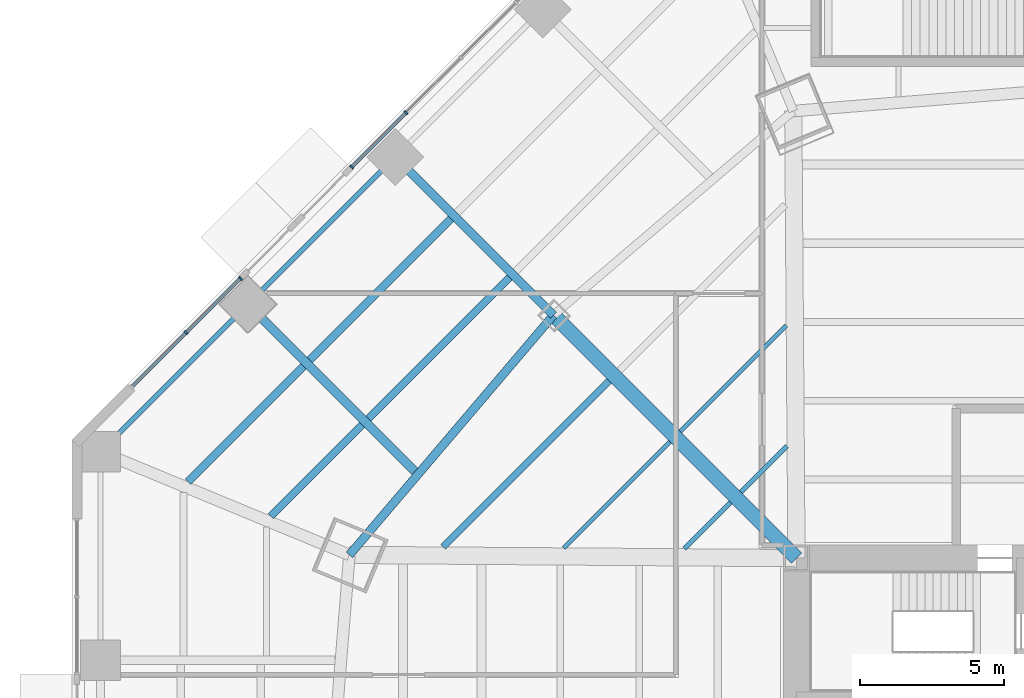
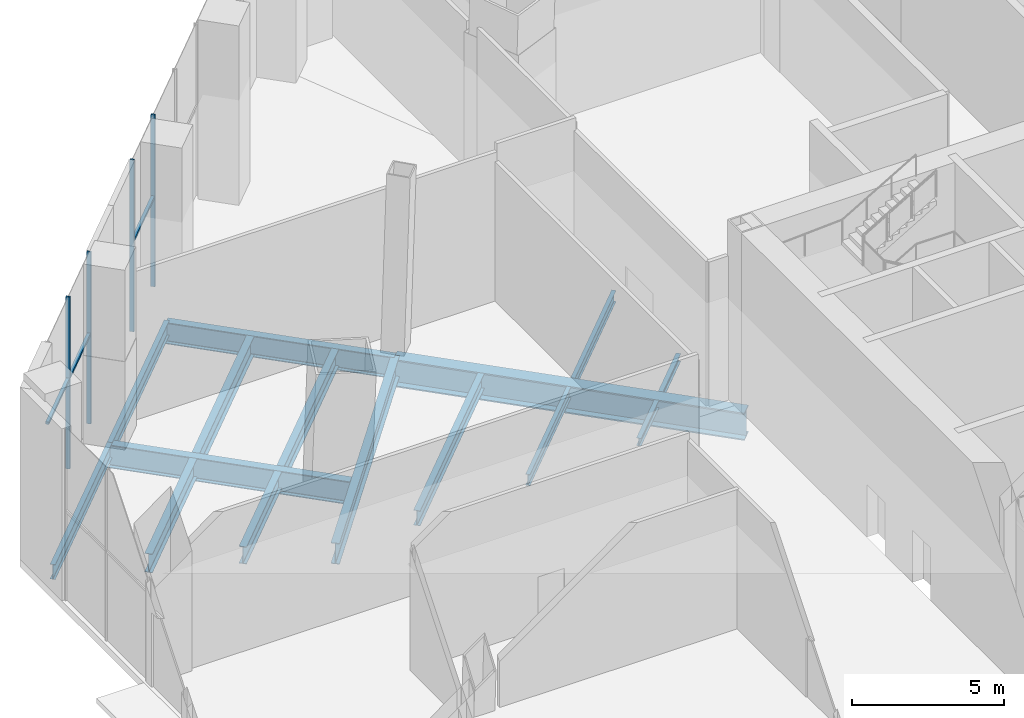
# One storey, part 9 of 35: 15 beams, 7 members, 2 elements without a shape of their own.
"""IFC4 building model written with IfcOpenShell, lengths in metres."""

from ifc_helpers import new_model, si_unit, direction, frame, origin, origin_2d, place, context, subcontext, project, spatial, rectangle, i_section, extrude, source, transform, mapped, material, material_profile, profile_set, type_object, type_shapes, element, aggregate, save


model = new_model("IFC4")

# Units and contexts
model_context = context("Model", 3, precision=1e-05, world=origin(), true_north=direction((0.0, 1.0)))
body_context = subcontext(model_context, "Body", "Model", "MODEL_VIEW")
ifc_project = project(units=[si_unit("LENGTHUNIT", "METRE"), si_unit("AREAUNIT", "SQUARE_METRE"), si_unit("VOLUMEUNIT", "CUBIC_METRE"), si_unit("PLANEANGLEUNIT", "RADIAN"), si_unit("MASSUNIT", "GRAM", prefix="KILO")], contexts=[model_context])

# Site, building, storey
site_placement = place(None, origin())
site = spatial("IfcSite", under=ifc_project, at=site_placement, CompositionType="ELEMENT")
building_placement = place(site_placement, origin())
building = spatial("IfcBuilding", under=site, at=building_placement, Name="Mashrafa Tower", CompositionType="ELEMENT")
storey_placement = place(building_placement, origin())
storey = spatial("IfcBuildingStorey", under=building, at=storey_placement, Name="L00", CompositionType="ELEMENT", Elevation=0.0)

# Beams
ifc_material_1 = material(Name="Steel ASTM A572 Gr 50", Category="steel")
ifc_material_profile_1 = material_profile(ifc_material_1, i_section(OverallWidth=0.5, OverallDepth=1.10009765625, WebThickness=0.02490234375, FlangeThickness=0.050048828125, at=origin_2d()), Name="H1100X500X25X50")
ifc_profile_set_1 = profile_set([ifc_material_profile_1], Name="Steel ASTM A572 Gr 50")
beam_type_1 = type_object("IfcBeamType", Name="Beam H1100X500X25X50", PredefinedType="BEAM", material=ifc_profile_set_1)
beam_1_placement = place(storey_placement, frame((-10.800048828125, 10.800048828125, -0.85009765625), z_axis=(-0.707106781187, 0.707106781187, 0.0), x_axis=(-0.707106781187, -0.707106781187, 0.0)))
element("IfcBeam", 1, at=beam_1_placement, inside=storey, type_object=beam_type_1, Name="Radial girder L00 202", PredefinedType="BEAM", context=body_context, shape_type="SweptSolid", body=[
    extrude(i_section(OverallWidth=0.5, OverallDepth=1.10009765625, WebThickness=0.02490234375, FlangeThickness=0.050048828125, at=origin_2d()), origin(), (0.0, 0.0, 1.0), 11.94970703125),
])
ifc_material_2 = material(Name="Steel ASTM A992", Category="steel")
ifc_material_profile_2 = material_profile(ifc_material_2, i_section(OverallWidth=0.164794921875, OverallDepth=0.309814453125, WebThickness=0.005859375, FlangeThickness=0.009765625, FilletRadius=0.007568359375, at=origin_2d()), Name="W12X26")
ifc_profile_set_2 = profile_set([ifc_material_profile_2], Name="Steel ASTM A992")
beam_type_2 = type_object("IfcBeamType", Name="Beam W12X26", PredefinedType="BEAM", material=ifc_profile_set_2)
for number, where, z_axis, x_axis, name in (
    (2, (-14.696533203125, 11.12841796875, -0.454833984375), (0.7071604821, 0.707053076194, 0.0), (-0.707053076194, 0.7071604821, 0.0), "Floor beam L00 027"),
    (3, (-12.735595703125, 13.089111328125, -0.454833984375), (0.707053076194, 0.7071604821, 0.0), (-0.7071604821, 0.707053076194, 0.0), "Floor beam L00 033"),
):
    element("IfcBeam", number, at=place(storey_placement, frame(where, z_axis=z_axis, x_axis=x_axis)), inside=storey, type_object=beam_type_2, Name=name, PredefinedType="BEAM", context=body_context, shape_type="SweptSolid", body=[
        extrude(i_section(OverallWidth=0.164794921875, OverallDepth=0.309814453125, WebThickness=0.005859375, FlangeThickness=0.009765625, FilletRadius=0.007568359375, at=origin_2d()), origin(), (0.0, 0.0, 1.0), 2.27294921875),
    ])
ifc_material_3 = material(Name="Steel ASTM A992", Category="steel")
ifc_material_profile_3 = material_profile(ifc_material_3, i_section(OverallWidth=0.15234375, OverallDepth=0.449462890625, WebThickness=0.007568359375, FlangeThickness=0.0107421875, FilletRadius=0.01025390625, at=origin_2d()), Name="W18X35")
ifc_profile_set_3 = profile_set([ifc_material_profile_3], Name="Steel ASTM A992")
beam_type_3 = type_object("IfcBeamType", Name="Beam W18X35", PredefinedType="BEAM", material=ifc_profile_set_3)
for number, where, z_axis, x_axis, name in (
    (4, (-18.89111328125, 11.15869140625, -0.52490234375), (0.707106781187, 0.707106781187, 0.0), (-0.707106781187, 0.707106781187, 0.0), "Floor beam L00 018"),
    (5, (-14.84814453125, 15.20166015625, -0.52490234375), (0.707106781187, 0.707106781187, 0.0), (-0.707106781187, 0.707106781187, 0.0), "Floor beam L00 026"),
):
    element("IfcBeam", number, at=place(storey_placement, frame(where, z_axis=z_axis, x_axis=x_axis)), inside=storey, type_object=beam_type_3, Name=name, PredefinedType="BEAM", context=body_context, shape_type="SweptSolid", body=[
        extrude(i_section(OverallWidth=0.15234375, OverallDepth=0.449462890625, WebThickness=0.007568359375, FlangeThickness=0.0107421875, FilletRadius=0.01025390625, at=origin_2d()), origin(), (0.0, 0.0, 1.0), 5.2177734375),
    ])
ifc_material_4 = material(Name="Steel ASTM A992", Category="steel")
ifc_material_profile_4 = material_profile(ifc_material_4, i_section(OverallWidth=0.177978515625, OverallDepth=0.599365234375, WebThickness=0.010009765625, FlangeThickness=0.012939453125, FilletRadius=0.012939453125, at=origin_2d()), Name="W24X55")
ifc_profile_set_4 = profile_set([ifc_material_profile_4], Name="Steel ASTM A992")
beam_type_4 = type_object("IfcBeamType", Name="Beam W24X55", PredefinedType="BEAM", material=ifc_profile_set_4)
beam_2_placement = place(storey_placement, frame((-29.87451171875, 19.623046875, -0.599609375), z_axis=(-0.707106781187, -0.707106781187, 0.0), x_axis=(0.707106781187, -0.707106781187, 0.0)))
element("IfcBeam", 6, at=beam_2_placement, inside=storey, type_object=beam_type_4, Name="Podium edge beam L00 114", PredefinedType="BEAM", context=body_context, shape_type="SweptSolid", body=[
    extrude(i_section(OverallWidth=0.177978515625, OverallDepth=0.599365234375, WebThickness=0.010009765625, FlangeThickness=0.012939453125, FilletRadius=0.012939453125, at=origin_2d()), origin(), (0.0, 0.0, 1.0), 7.24853515625),
])
beam_3_placement = place(storey_placement, frame((-24.748779296875, 24.748779296875, -0.599609375), z_axis=(-0.707106781187, -0.707106781187, 0.0), x_axis=(0.707106781187, -0.707106781187, 0.0)))
element("IfcBeam", 7, at=beam_3_placement, inside=storey, type_object=beam_type_4, Name="Podium edge beam L00 116", PredefinedType="BEAM", context=body_context, shape_type="SweptSolid", body=[
    extrude(i_section(OverallWidth=0.177978515625, OverallDepth=0.599365234375, WebThickness=0.010009765625, FlangeThickness=0.012939453125, FilletRadius=0.012939453125, at=origin_2d()), origin(), (0.0, 0.0, 1.0), 7.248779296875),
])
ifc_material_5 = material(Name="Steel ASTM A992", Category="steel")
ifc_material_profile_5 = material_profile(ifc_material_5, i_section(OverallWidth=0.228271484375, OverallDepth=0.607177734375, WebThickness=0.01123046875, FlangeThickness=0.017333984375, FilletRadius=0.0126953125, at=origin_2d()), Name="W24X76")
ifc_profile_set_5 = profile_set([ifc_material_profile_5], Name="Steel ASTM A992")
beam_type_5 = type_object("IfcBeamType", Name="Beam W24X76", PredefinedType="BEAM", material=ifc_profile_set_5)
beam_4_placement = place(storey_placement, frame((-23.085693359375, 11.18896484375, -0.603515625), z_axis=(0.707106781187, 0.707106781187, 0.0), x_axis=(-0.707106781187, 0.707106781187, 0.0)))
element("IfcBeam", 8, at=beam_4_placement, inside=storey, type_object=beam_type_5, Name="Floor beam L00 011", PredefinedType="BEAM", context=body_context, shape_type="SweptSolid", body=[
    extrude(i_section(OverallWidth=0.228271484375, OverallDepth=0.607177734375, WebThickness=0.01123046875, FlangeThickness=0.017333984375, FilletRadius=0.0126953125, at=origin_2d()), origin(), (0.0, 0.0, 1.0), 8.162109375),
])
ifc_material_6 = material(Name="Steel ASTM A992", Category="steel")
ifc_material_profile_6 = material_profile(ifc_material_6, i_section(OverallWidth=0.256591796875, OverallDepth=0.693359375, WebThickness=0.014404296875, FlangeThickness=0.023681640625, FilletRadius=0.01513671875, at=origin_2d()), Name="W27X114")
ifc_profile_set_6 = profile_set([ifc_material_profile_6], Name="Steel ASTM A992")
beam_type_6 = type_object("IfcBeamType", Name="Beam W27X114", PredefinedType="BEAM", material=ifc_profile_set_6)
beam_5_placement = place(storey_placement, frame((-29.076416015625, 12.260986328125, -0.646728515625), z_axis=(0.707106781187, 0.707106781187, 0.0), x_axis=(-0.707106781187, 0.707106781187, 0.0)))
element("IfcBeam", 9, at=beam_5_placement, inside=storey, type_object=beam_type_6, Name="Floor beam L00 008 part 1", PredefinedType="BEAM", context=body_context, shape_type="SweptSolid", body=[
    extrude(i_section(OverallWidth=0.256591796875, OverallDepth=0.693359375, WebThickness=0.014404296875, FlangeThickness=0.023681640625, FilletRadius=0.01513671875, at=origin_2d()), origin(), (0.0, 0.0, 1.0), 4.48779296875),
])
beam_6_placement = place(storey_placement, frame((-25.685791015625, 15.65185546875, -0.646728515625), z_axis=(0.707124347529, 0.707089214407, 0.0), x_axis=(-0.707089214407, 0.707124347529, 0.0)))
element("IfcBeam", 10, at=beam_6_placement, inside=storey, type_object=beam_type_6, Name="Floor beam L00 008 part 2", PredefinedType="BEAM", context=body_context, shape_type="SweptSolid", body=[
    extrude(i_section(OverallWidth=0.256591796875, OverallDepth=0.693359375, WebThickness=0.014404296875, FlangeThickness=0.023681640625, FilletRadius=0.01513671875, at=origin_2d()), origin(), (0.0, 0.0, 1.0), 6.948974609375),
])
ifc_material_7 = material(Name="Steel ASTM A992", Category="steel")
ifc_material_profile_7 = material_profile(ifc_material_7, i_section(OverallWidth=0.2666015625, OverallDepth=0.75439453125, WebThickness=0.01318359375, FlangeThickness=0.01708984375, FilletRadius=0.0166015625, at=origin_2d()), Name="W30X99")
ifc_profile_set_7 = profile_set([ifc_material_profile_7], Name="Steel ASTM A992")
beam_type_7 = type_object("IfcBeamType", Name="Beam W30X99", PredefinedType="BEAM", material=ifc_profile_set_7)
beam_7_placement = place(storey_placement, frame((-31.96142578125, 13.4560546875, -0.67724609375), z_axis=(0.707106781187, 0.707106781187, 0.0), x_axis=(-0.707106781187, 0.707106781187, 0.0)))
element("IfcBeam", 11, at=beam_7_placement, inside=storey, type_object=beam_type_7, Name="Floor beam L00 004 part 1", PredefinedType="BEAM", context=body_context, shape_type="SweptSolid", body=[
    extrude(i_section(OverallWidth=0.2666015625, OverallDepth=0.75439453125, WebThickness=0.01318359375, FlangeThickness=0.01708984375, FilletRadius=0.0166015625, at=origin_2d()), origin(), (0.0, 0.0, 1.0), 5.682861328125),
])
beam_8_placement = place(storey_placement, frame((-27.7255859375, 17.69189453125, -0.67724609375), z_axis=(0.707106781187, 0.707106781187, 0.0), x_axis=(-0.707106781187, 0.707106781187, 0.0)))
element("IfcBeam", 12, at=beam_8_placement, inside=storey, type_object=beam_type_7, Name="Floor beam L00 004 part 2", PredefinedType="BEAM", context=body_context, shape_type="SweptSolid", body=[
    extrude(i_section(OverallWidth=0.2666015625, OverallDepth=0.75439453125, WebThickness=0.01318359375, FlangeThickness=0.01708984375, FilletRadius=0.0166015625, at=origin_2d()), origin(), (0.0, 0.0, 1.0), 6.94873046875),
])
ifc_material_8 = material(Name="Steel ASTM A992", Category="steel")
ifc_material_profile_8 = material_profile(ifc_material_8, i_section(OverallWidth=0.2919921875, OverallDepth=0.8408203125, WebThickness=0.0146484375, FlangeThickness=0.021728515625, FilletRadius=0.017333984375, at=origin_2d()), Name="W33X130")
ifc_profile_set_8 = profile_set([ifc_material_profile_8], Name="Steel ASTM A992")
beam_type_8 = type_object("IfcBeamType", Name="Beam W33X130", PredefinedType="BEAM", material=ifc_profile_set_8)
beam_9_placement = place(storey_placement, frame((-19.249755859375, 19.249755859375, -0.720458984375), z_axis=(-0.648105971434, -0.76155016236, 0.0), x_axis=(0.76155016236, -0.648105971434, 0.0)))
element("IfcBeam", 13, at=beam_9_placement, inside=storey, type_object=beam_type_8, Name="Podium ring girder L00 185", PredefinedType="BEAM", context=body_context, shape_type="SweptSolid", body=[
    extrude(i_section(OverallWidth=0.2919921875, OverallDepth=0.8408203125, WebThickness=0.0146484375, FlangeThickness=0.021728515625, FilletRadius=0.017333984375, at=origin_2d()), origin(), (0.0, 0.0, 1.0), 10.947509765625),
])
ifc_material_9 = material(Name="Steel ASTM A992", Category="steel")
ifc_material_profile_9 = material_profile(ifc_material_9, i_section(OverallWidth=0.2919921875, OverallDepth=0.8583984375, WebThickness=0.01708984375, FlangeThickness=0.031005859375, FilletRadius=0.017822265625, at=origin_2d()), Name="W33X169")
ifc_profile_set_9 = profile_set([ifc_material_profile_9], Name="Steel ASTM A992")
beam_type_9 = type_object("IfcBeamType", Name="Beam W33X169", PredefinedType="BEAM", material=ifc_profile_set_9)
beam_10_placement = place(storey_placement, frame((-19.249755859375, 19.249755859375, -0.729248046875), z_axis=(-0.707106781187, 0.707106781187, 0.0), x_axis=(-0.707106781187, -0.707106781187, 0.0)))
element("IfcBeam", 14, at=beam_10_placement, inside=storey, type_object=beam_type_9, Name="Podium radial beam L00 150", PredefinedType="BEAM", context=body_context, shape_type="SweptSolid", body=[
    extrude(i_section(OverallWidth=0.2919921875, OverallDepth=0.8583984375, WebThickness=0.01708984375, FlangeThickness=0.031005859375, FilletRadius=0.017822265625, at=origin_2d()), origin(), (0.0, 0.0, 1.0), 7.77685546875),
])
ifc_material_10 = material(Name="Steel ASTM A992", Category="steel")
ifc_material_profile_10 = material_profile(ifc_material_10, i_section(OverallWidth=0.307373046875, OverallDepth=0.927001953125, WebThickness=0.01953125, FlangeThickness=0.031982421875, FilletRadius=0.01904296875, at=origin_2d()), Name="W36X194")
ifc_profile_set_10 = profile_set([ifc_material_profile_10], Name="Steel ASTM A992")
beam_type_10 = type_object("IfcBeamType", Name="Beam W36X194", PredefinedType="BEAM", material=ifc_profile_set_10)
beam_11_placement = place(storey_placement, frame((-24.06640625, 13.815185546875, -0.763671875), z_axis=(-0.707121642771, 0.707091919289, 0.0), x_axis=(-0.707091919289, -0.707121642771, 0.0)))
element("IfcBeam", 15, at=beam_11_placement, inside=storey, type_object=beam_type_10, Name="Podium radial beam L00 148", PredefinedType="BEAM", context=body_context, shape_type="SweptSolid", body=[
    extrude(i_section(OverallWidth=0.307373046875, OverallDepth=0.927001953125, WebThickness=0.01953125, FlangeThickness=0.031982421875, FilletRadius=0.01904296875, at=origin_2d()), origin(), (0.0, 0.0, 1.0), 8.213623046875),
])

# Curtain wall, members
ifc_material_11 = material(Name="Unitised aluminium curtain wall", Category="aluminium")
curtain_wall_type = type_object("IfcCurtainWallType", Name="Podium storefront CW-P 150 deep", PredefinedType="NOTDEFINED", material=ifc_material_11)
curtain_wall_1_placement = place(storey_placement, origin())
curtain_wall_1 = element("IfcCurtainWall", 16, at=curtain_wall_1_placement, inside=storey, type_object=curtain_wall_type, Name="Podium storefront L00 north-west part 1", PredefinedType="NOTDEFINED")
ifc_material_12 = material(Name="Extruded aluminium mullion", Category="aluminium")
ifc_material_profile_11 = material_profile(ifc_material_12, rectangle(XDim=0.14990234375, YDim=0.06494140625, at=origin_2d()), Name="Mullion 65x150")
ifc_profile_set_11 = profile_set([ifc_material_profile_11], Name="Extruded aluminium mullion")
member_type_1 = type_object("IfcMemberType", Name="Mullion CW-P 65 x 150", PredefinedType="MULLION", material=ifc_profile_set_11)
shared_shape_1 = source(origin(), body_context, "Body", "SweptSolid", [
    extrude(rectangle(XDim=0.14990234375, YDim=0.06494140625, at=origin_2d()), origin(), (0.0, 0.0, 1.0), 6.89990234375),
])
type_shapes(member_type_1, [shared_shape_1])
member_1_placement = place(storey_placement, frame((-24.376220703125, 26.2880859375, 0.0), z_axis=(0.0, 0.0, 1.0), x_axis=(0.707106781187, -0.707106781187, 0.0)))
member_1 = element("IfcMember", 17, at=member_1_placement, type_object=member_type_1, Name="CW-P mullion 5", PredefinedType="MULLION", context=body_context, shape_type="MappedRepresentation", body=[
    mapped(shared_shape_1, transform((0.0, 0.0, 0.0))),
])
member_2_placement = place(storey_placement, frame((-26.26513671875, 24.399169921875, 0.0), z_axis=(0.0, 0.0, 1.0), x_axis=(0.707106781187, -0.707106781187, 0.0)))
member_2 = element("IfcMember", 18, at=member_2_placement, type_object=member_type_1, Name="CW-P mullion 6", PredefinedType="MULLION", context=body_context, shape_type="MappedRepresentation", body=[
    mapped(shared_shape_1, transform((0.0, 0.0, 0.0))),
])

curtain_wall_2_placement = place(storey_placement, origin())
curtain_wall_2 = element("IfcCurtainWall", 19, at=curtain_wall_2_placement, inside=storey, type_object=curtain_wall_type, Name="Podium storefront L00 north-west part 2", PredefinedType="NOTDEFINED")
member_3_placement = place(storey_placement, frame((-30.134521484375, 20.529541015625, 0.0), z_axis=(0.0, 0.0, 1.0), x_axis=(0.707106781187, -0.707106781187, 0.0)))
member_3 = element("IfcMember", 20, at=member_3_placement, type_object=member_type_1, Name="CW-P mullion 1", PredefinedType="MULLION", context=body_context, shape_type="MappedRepresentation", body=[
    mapped(shared_shape_1, transform((0.0, 0.0, 0.0))),
])
member_4_placement = place(storey_placement, frame((-32.0234375, 18.640869140625, 0.0), z_axis=(0.0, 0.0, 1.0), x_axis=(0.707106781187, -0.707106781187, 0.0)))
member_4 = element("IfcMember", 21, at=member_4_placement, type_object=member_type_1, Name="CW-P mullion 2", PredefinedType="MULLION", context=body_context, shape_type="MappedRepresentation", body=[
    mapped(shared_shape_1, transform((0.0, 0.0, 0.0))),
])

# Member
ifc_material_13 = material(Name="Extruded aluminium transom", Category="aluminium")
ifc_material_profile_12 = material_profile(ifc_material_13, rectangle(XDim=0.1201171875, YDim=0.10009765625, at=origin_2d()), Name="Transom 100x120")
ifc_profile_set_12 = profile_set([ifc_material_profile_12], Name="Extruded aluminium transom")
member_type_2 = type_object("IfcMemberType", Name="Transom CW-P 100 x 120", PredefinedType="MULLION", material=ifc_profile_set_12)
shared_shape_2 = source(origin(), body_context, "Body", "SweptSolid", [
    extrude(rectangle(XDim=0.1201171875, YDim=0.10009765625, at=origin_2d()), origin(), (0.0, 0.0, 1.0), 2.606201171875),
])
type_shapes(member_type_2, [shared_shape_2])
member_5_placement = place(storey_placement, frame((-24.399169921875, 26.26513671875, 3.60009765625), z_axis=(-0.707059942066, -0.707153617204, 0.0), x_axis=(0.707153617204, -0.707059942066, 0.0)))
member_5 = element("IfcMember", 22, at=member_5_placement, type_object=member_type_2, Name="CW-P transom 5", PredefinedType="MULLION", context=body_context, shape_type="MappedRepresentation", body=[
    mapped(shared_shape_2, transform((0.0, 0.0, 0.0))),
])

aggregate(curtain_wall_1, [member_1, member_2, member_5])

member_6_placement = place(storey_placement, frame((-30.157470703125, 20.506591796875, 3.60009765625), z_axis=(-0.707153617204, -0.707059942066, 0.0), x_axis=(0.707059942066, -0.707153617204, 0.0)))
member_6 = element("IfcMember", 23, at=member_6_placement, type_object=member_type_2, Name="CW-P transom 1", PredefinedType="MULLION", context=body_context, shape_type="MappedRepresentation", body=[
    mapped(shared_shape_2, transform((0.0, 0.0, 0.0))),
])

member_7_placement = place(storey_placement, frame((-32.04638671875, 18.617919921875, 3.60009765625), z_axis=(-0.707059942066, -0.707153617204, 0.0), x_axis=(0.707153617204, -0.707059942066, 0.0)))
member_7 = element("IfcMember", 24, at=member_7_placement, type_object=member_type_2, Name="CW-P transom 2", PredefinedType="MULLION", context=body_context, shape_type="MappedRepresentation", body=[
    mapped(shared_shape_2, transform((0.0, 0.0, 0.0))),
])

aggregate(curtain_wall_2, [member_3, member_4, member_6, member_7])

save(model, "model.ifc")
